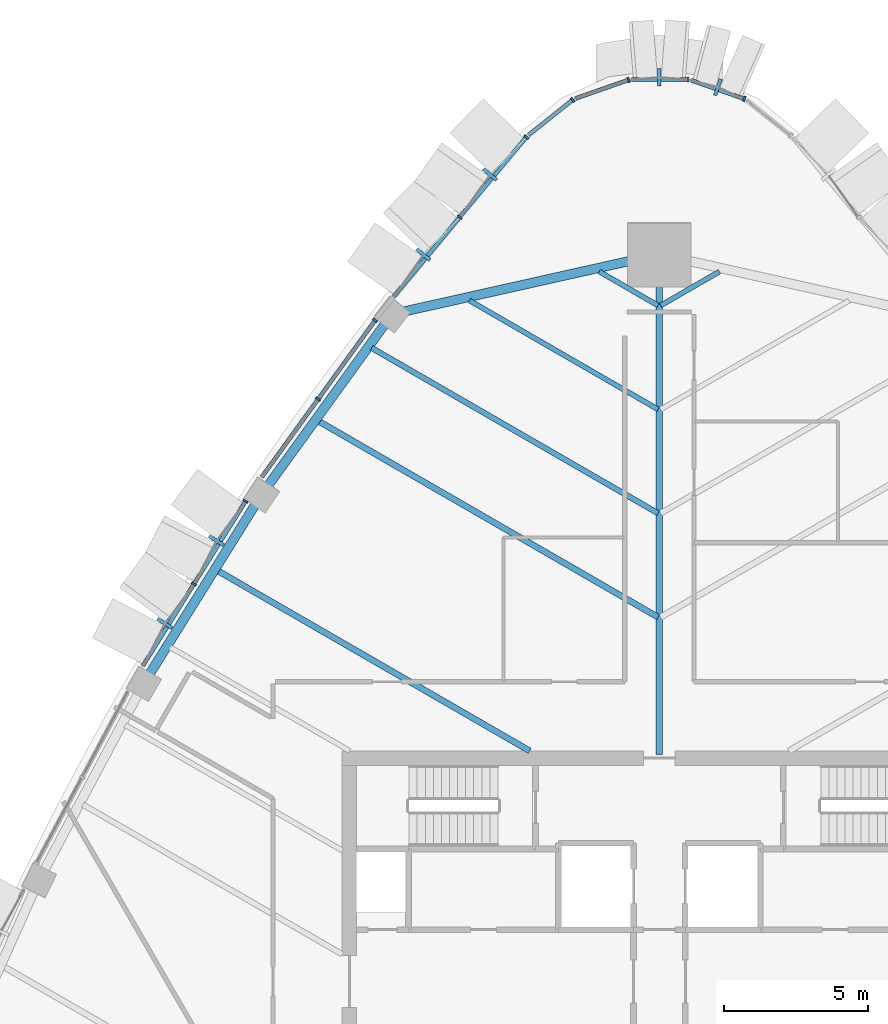
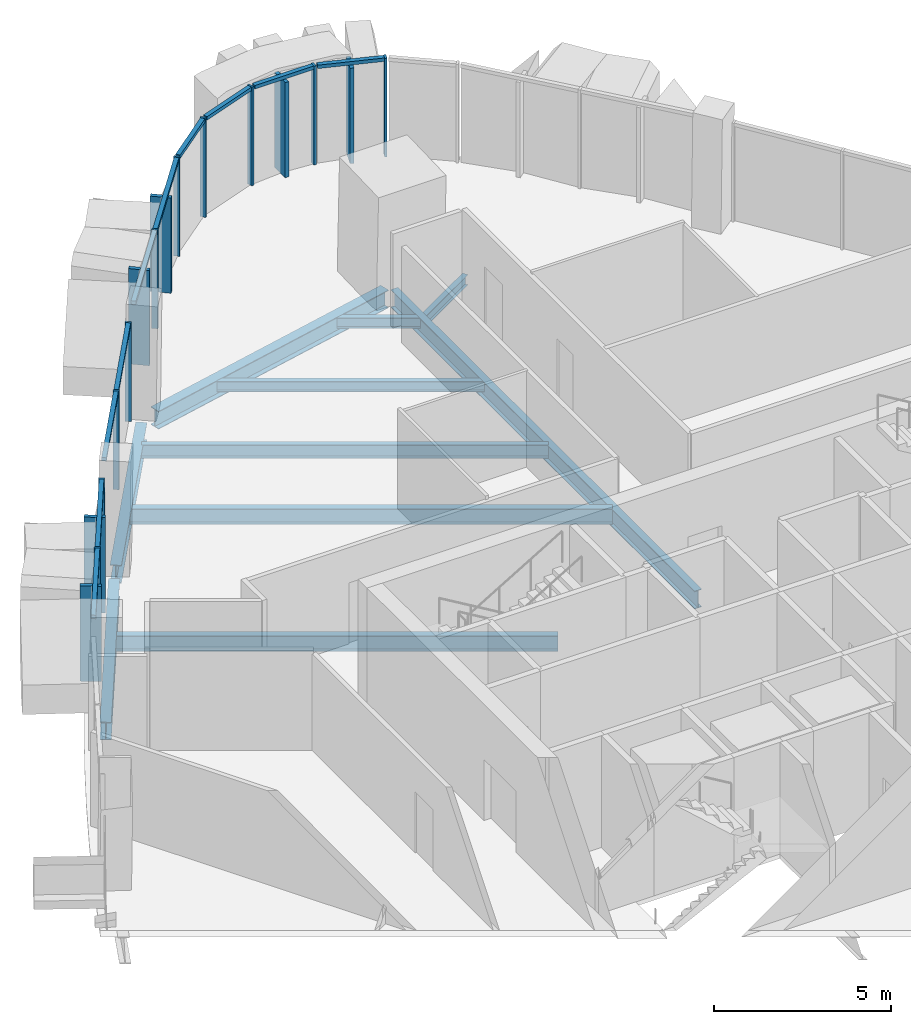
# One storey, part 6 of 18: 26 members, 10 beams, 7 elements without a shape of their own.
"""IFC4 building model written with IfcOpenShell, lengths in metres."""

from ifc_helpers import new_model, si_unit, direction, frame, origin, origin_2d, place, context, subcontext, project, spatial, rectangle, i_section, extrude, material, layer, layer_set, material_profile, profile_set, type_object, element, aggregate, save


model = new_model("IFC4")

# Units and contexts
model_context = context("Model", 3, precision=1e-05, world=origin(), true_north=direction((0.0, 1.0)))
body_context = subcontext(model_context, "Body", "Model", "MODEL_VIEW")
ifc_project = project(units=[si_unit("LENGTHUNIT", "METRE"), si_unit("AREAUNIT", "SQUARE_METRE"), si_unit("VOLUMEUNIT", "CUBIC_METRE"), si_unit("PLANEANGLEUNIT", "RADIAN"), si_unit("MASSUNIT", "GRAM", prefix="KILO")], contexts=[model_context])

# Site, building, storey
site_placement = place(None, origin())
site = spatial("IfcSite", under=ifc_project, at=site_placement, CompositionType="ELEMENT")
building_placement = place(site_placement, origin())
building = spatial("IfcBuilding", under=site, at=building_placement, Name="Sierra Prisma Convention Tower", CompositionType="ELEMENT")
storey_placement = place(building_placement, frame((0.0, 0.0, 247.0)))
storey = spatial("IfcBuildingStorey", under=building, at=storey_placement, Name="L55", CompositionType="ELEMENT", Elevation=247.0)

# Curtain wall, member
ifc_material_1 = material(Name="Aluminium and glass curtain wall", Category="aluminium")
ifc_layer_1 = layer(ifc_material_1, 0.179931640625)
ifc_layer_set_1 = layer_set([ifc_layer_1], Name="CW-2 Faceted crystal curtain wall")
curtain_wall_type_1 = type_object("IfcCurtainWallType", Name="CW-2 Faceted crystal curtain wall", PredefinedType="NOTDEFINED", material=ifc_layer_set_1)
curtain_wall_1_placement = place(storey_placement, origin())
curtain_wall_1 = element("IfcCurtainWall", 1, at=curtain_wall_1_placement, inside=storey, type_object=curtain_wall_type_1, Name="CW-2 N2 L55", PredefinedType="NOTDEFINED")
ifc_material_2 = material(Name="Aluminium 6063-T6 bronze anodised", Category="aluminium")
ifc_material_profile_1 = material_profile(ifc_material_2, rectangle(XDim=0.1201171875, YDim=0.60009765625, at=origin_2d()), Name="ALU RIDGE BLADE 120x600")
ifc_profile_set_1 = profile_set([ifc_material_profile_1], Name="Aluminium 6063-T6 bronze anodised")
member_type_1 = type_object("IfcMemberType", Name="CW hip bronze", PredefinedType="MULLION", material=ifc_profile_set_1)
member_1_placement = place(storey_placement, frame((2.029052734375, 31.019287109375, 0.0), z_axis=(0.0, 0.0, 1.0), x_axis=(-0.943791194366, 0.330542253632, 0.0)))
member_1 = element("IfcMember", 2, at=member_1_placement, type_object=member_type_1, Name="CW-2 ridge N2.1", PredefinedType="MULLION", context=body_context, shape_type="SweptSolid", body=[
    extrude(rectangle(XDim=0.1201171875, YDim=0.60009765625, at=origin_2d()), origin(), (0.0, 0.0, 1.0), 3.280029296875),
])

curtain_wall_2_placement = place(storey_placement, origin())
curtain_wall_2 = element("IfcCurtainWall", 3, at=curtain_wall_2_placement, inside=storey, type_object=curtain_wall_type_1, Name="CW-2 N3 L55", PredefinedType="NOTDEFINED")
member_2_placement = place(storey_placement, frame((0.0, 31.3642578125, 0.0), z_axis=(0.0, 0.0, 1.0), x_axis=(-1.0, 0.0, 0.0)))
member_2 = element("IfcMember", 4, at=member_2_placement, type_object=member_type_1, Name="CW-2 ridge N3.1", PredefinedType="MULLION", context=body_context, shape_type="SweptSolid", body=[
    extrude(rectangle(XDim=0.1201171875, YDim=0.60009765625, at=origin_2d()), origin(), (0.0, 0.0, 1.0), 3.280029296875),
])

# Curtain wall, members
curtain_wall_3_placement = place(storey_placement, origin())
curtain_wall_3 = element("IfcCurtainWall", 5, at=curtain_wall_3_placement, inside=storey, type_object=curtain_wall_type_1, Name="CW-2 NW1 L55", PredefinedType="NOTDEFINED")
member_3_placement = place(storey_placement, frame((-5.875244140625, 27.99365234375, 0.0), z_axis=(0.0, 0.0, 1.0), x_axis=(-0.639950693937, -0.768415974151, 0.0)))
member_3 = element("IfcMember", 6, at=member_3_placement, type_object=member_type_1, Name="CW-2 ridge NW1.1", PredefinedType="MULLION", context=body_context, shape_type="SweptSolid", body=[
    extrude(rectangle(XDim=0.1201171875, YDim=0.60009765625, at=origin_2d()), origin(), (0.0, 0.0, 1.0), 3.280029296875),
])
member_4_placement = place(storey_placement, frame((-8.189208984375, 25.215087890625, 0.0), z_axis=(0.0, 0.0, 1.0), x_axis=(-0.639950693937, -0.768415974151, 0.0)))
member_4 = element("IfcMember", 7, at=member_4_placement, type_object=member_type_1, Name="CW-2 ridge NW1.2", PredefinedType="MULLION", context=body_context, shape_type="SweptSolid", body=[
    extrude(rectangle(XDim=0.1201171875, YDim=0.60009765625, at=origin_2d()), origin(), (0.0, 0.0, 1.0), 3.280029296875),
])

curtain_wall_4_placement = place(storey_placement, origin())
curtain_wall_4 = element("IfcCurtainWall", 8, at=curtain_wall_4_placement, inside=storey, type_object=curtain_wall_type_1, Name="CW-2 NW3 L55", PredefinedType="NOTDEFINED")
member_5_placement = place(storey_placement, frame((-15.36181640625, 15.29345703125, 0.0), z_axis=(0.0, 0.0, 1.0), x_axis=(-0.529291970398, -0.848439750408, 0.0)))
member_5 = element("IfcMember", 9, at=member_5_placement, type_object=member_type_1, Name="CW-2 ridge NW3.1", PredefinedType="MULLION", context=body_context, shape_type="SweptSolid", body=[
    extrude(rectangle(XDim=0.1201171875, YDim=0.60009765625, at=origin_2d()), origin(), (0.0, 0.0, 1.0), 3.280029296875),
])
member_6_placement = place(storey_placement, frame((-17.1533203125, 12.42138671875, 0.0), z_axis=(0.0, 0.0, 1.0), x_axis=(-0.529291970398, -0.848439750408, 0.0)))
member_6 = element("IfcMember", 10, at=member_6_placement, type_object=member_type_1, Name="CW-2 ridge NW3.2", PredefinedType="MULLION", context=body_context, shape_type="SweptSolid", body=[
    extrude(rectangle(XDim=0.1201171875, YDim=0.60009765625, at=origin_2d()), origin(), (0.0, 0.0, 1.0), 3.280029296875),
])

# Member
ifc_material_3 = material(Name="Aluminium 6063-T6 bronze anodised", Category="aluminium")
ifc_material_profile_2 = material_profile(ifc_material_3, rectangle(XDim=0.179931640625, YDim=0.070068359375, at=origin_2d()), Name="ALU MULLION 70x180")
ifc_profile_set_2 = profile_set([ifc_material_profile_2], Name="Aluminium 6063-T6 bronze anodised")
member_type_2 = type_object("IfcMemberType", Name="CW mullion bronze", PredefinedType="MULLION", material=ifc_profile_set_2)
member_7_placement = place(storey_placement, frame((2.944091796875, 30.61865234375, 0.0), z_axis=(0.0, 0.0, 1.0), x_axis=(-0.330542253632, -0.943791194366, 0.0)))
member_7 = element("IfcMember", 11, at=member_7_placement, type_object=member_type_2, Name="CW-1 mullion N2.1", PredefinedType="MULLION", context=body_context, shape_type="SweptSolid", body=[
    extrude(rectangle(XDim=0.179931640625, YDim=0.070068359375, at=origin_2d()), origin(), (0.0, 0.0, 1.0), 3.39990234375),
])

member_8_placement = place(storey_placement, frame((0.99609375, 31.288818359375, 0.0), z_axis=(0.0, 0.0, 1.0), x_axis=(0.0, -1.0, 0.0)))
member_8 = element("IfcMember", 12, at=member_8_placement, type_object=member_type_2, Name="CW-1 mullion N3.1", PredefinedType="MULLION", context=body_context, shape_type="SweptSolid", body=[
    extrude(rectangle(XDim=0.179931640625, YDim=0.070068359375, at=origin_2d()), origin(), (0.0, 0.0, 1.0), 3.39990234375),
])

# Curtain wall, member
ifc_material_4 = material(Name="Aluminium and glass curtain wall", Category="aluminium")
ifc_layer_2 = layer(ifc_material_4, 0.179931640625)
ifc_layer_set_2 = layer_set([ifc_layer_2], Name="CW-1 Plain shaft curtain wall")
curtain_wall_type_2 = type_object("IfcCurtainWallType", Name="CW-1 Plain shaft curtain wall", PredefinedType="NOTDEFINED", material=ifc_layer_set_2)
curtain_wall_5_placement = place(storey_placement, origin())
curtain_wall_5 = element("IfcCurtainWall", 13, at=curtain_wall_5_placement, inside=storey, type_object=curtain_wall_type_2, Name="CW-1 N4 L55", PredefinedType="NOTDEFINED")
member_9_placement = place(storey_placement, frame((-1.06396484375, 31.277099609375, 0.0), z_axis=(0.0, 0.0, 1.0), x_axis=(0.330542253632, -0.943791194366, 0.0)))
member_9 = element("IfcMember", 14, at=member_9_placement, type_object=member_type_2, Name="CW-1 mullion N4.1", PredefinedType="MULLION", context=body_context, shape_type="SweptSolid", body=[
    extrude(rectangle(XDim=0.179931640625, YDim=0.070068359375, at=origin_2d()), origin(), (0.0, 0.0, 1.0), 3.39990234375),
])

curtain_wall_6_placement = place(storey_placement, origin())
curtain_wall_6 = element("IfcCurtainWall", 15, at=curtain_wall_6_placement, inside=storey, type_object=curtain_wall_type_2, Name="CW-1 N5 L55", PredefinedType="NOTDEFINED")
member_10_placement = place(storey_placement, frame((-3.00439453125, 30.585205078125, 0.0), z_axis=(0.0, 0.0, 1.0), x_axis=(0.623925736689, -0.781483637127, 0.0)))
member_10 = element("IfcMember", 16, at=member_10_placement, type_object=member_type_2, Name="CW-1 mullion N5.1", PredefinedType="MULLION", context=body_context, shape_type="SweptSolid", body=[
    extrude(rectangle(XDim=0.179931640625, YDim=0.070068359375, at=origin_2d()), origin(), (0.0, 0.0, 1.0), 3.39990234375),
])

# Member
member_11_placement = place(storey_placement, frame((-4.61083984375, 29.293701171875, 0.0), z_axis=(0.0, 0.0, 1.0), x_axis=(0.768415974151, -0.639950693937, 0.0)))
member_11 = element("IfcMember", 17, at=member_11_placement, type_object=member_type_2, Name="CW-1 mullion NW1.1", PredefinedType="MULLION", context=body_context, shape_type="SweptSolid", body=[
    extrude(rectangle(XDim=0.179931640625, YDim=0.070068359375, at=origin_2d()), origin(), (0.0, 0.0, 1.0), 3.39990234375),
])

member_12_placement = place(storey_placement, frame((-6.925048828125, 26.51513671875, 0.0), z_axis=(0.0, 0.0, 1.0), x_axis=(0.768415974151, -0.639950693937, 0.0)))
member_12 = element("IfcMember", 18, at=member_12_placement, type_object=member_type_2, Name="CW-1 mullion NW1.2", PredefinedType="MULLION", context=body_context, shape_type="SweptSolid", body=[
    extrude(rectangle(XDim=0.179931640625, YDim=0.070068359375, at=origin_2d()), origin(), (0.0, 0.0, 1.0), 3.39990234375),
])

# Curtain wall, members
curtain_wall_7_placement = place(storey_placement, origin())
curtain_wall_7 = element("IfcCurtainWall", 19, at=curtain_wall_7_placement, inside=storey, type_object=curtain_wall_type_2, Name="CW-1 NW2 L55", PredefinedType="NOTDEFINED")
member_13_placement = place(storey_placement, frame((-9.859375, 22.93505859375, 0.0), z_axis=(0.0, 0.0, 1.0), x_axis=(0.810319040127, -0.585988953145, 0.0)))
member_13 = element("IfcMember", 20, at=member_13_placement, type_object=member_type_2, Name="CW-1 mullion NW2.1", PredefinedType="MULLION", context=body_context, shape_type="SweptSolid", body=[
    extrude(rectangle(XDim=0.179931640625, YDim=0.070068359375, at=origin_2d()), origin(), (0.0, 0.0, 1.0), 3.39990234375),
])
member_14_placement = place(storey_placement, frame((-11.833740234375, 20.205078125, 0.0), z_axis=(0.0, 0.0, 1.0), x_axis=(0.810319040127, -0.585988953145, 0.0)))
member_14 = element("IfcMember", 21, at=member_14_placement, type_object=member_type_2, Name="CW-1 mullion NW2.2", PredefinedType="MULLION", context=body_context, shape_type="SweptSolid", body=[
    extrude(rectangle(XDim=0.179931640625, YDim=0.070068359375, at=origin_2d()), origin(), (0.0, 0.0, 1.0), 3.39990234375),
])

# Member
member_15_placement = place(storey_placement, frame((-14.355224609375, 16.66015625, 0.0), z_axis=(0.0, 0.0, 1.0), x_axis=(0.848439750408, -0.529291970398, 0.0)))
member_15 = element("IfcMember", 22, at=member_15_placement, type_object=member_type_2, Name="CW-1 mullion NW3.1", PredefinedType="MULLION", context=body_context, shape_type="SweptSolid", body=[
    extrude(rectangle(XDim=0.179931640625, YDim=0.070068359375, at=origin_2d()), origin(), (0.0, 0.0, 1.0), 3.39990234375),
])

member_16_placement = place(storey_placement, frame((-16.14697265625, 13.788330078125, 0.0), z_axis=(0.0, 0.0, 1.0), x_axis=(0.848439750408, -0.529291970398, 0.0)))
member_16 = element("IfcMember", 23, at=member_16_placement, type_object=member_type_2, Name="CW-1 mullion NW3.2", PredefinedType="MULLION", context=body_context, shape_type="SweptSolid", body=[
    extrude(rectangle(XDim=0.179931640625, YDim=0.070068359375, at=origin_2d()), origin(), (0.0, 0.0, 1.0), 3.39990234375),
])

ifc_material_5 = material(Name="Aluminium 6063-T6 bronze anodised", Category="aluminium")
ifc_material_profile_3 = material_profile(ifc_material_5, rectangle(XDim=0.139892578125, YDim=0.1201171875, at=origin_2d()), Name="ALU TRANSOM 120x140")
ifc_profile_set_3 = profile_set([ifc_material_profile_3], Name="Aluminium 6063-T6 bronze anodised")
member_type_3 = type_object("IfcMemberType", Name="CW transom bronze", PredefinedType="USERDEFINED", material=ifc_profile_set_3)
member_17_placement = place(storey_placement, frame((2.9111328125, 30.63037109375, 3.340087890625), z_axis=(-0.943798930546, 0.330520163833, 0.0), x_axis=(-0.330520163833, -0.943798930546, 0.0)))
member_17 = element("IfcMember", 24, at=member_17_placement, type_object=member_type_3, Name="CW-1 transom N2.1", ObjectType="TRANSOM", PredefinedType="USERDEFINED", context=body_context, shape_type="SweptSolid", body=[
    extrude(rectangle(XDim=0.139892578125, YDim=0.1201171875, at=origin_2d()), origin(), (0.0, 0.0, 1.0), 1.921875),
])

aggregate(curtain_wall_1, [member_7, member_17, member_1])

member_18_placement = place(storey_placement, frame((0.9609375, 31.288818359375, 3.340087890625), z_axis=(-1.0, 0.0, 0.0), x_axis=(0.0, -1.0, 0.0)))
member_18 = element("IfcMember", 25, at=member_18_placement, type_object=member_type_3, Name="CW-1 transom N3.1", ObjectType="TRANSOM", PredefinedType="USERDEFINED", context=body_context, shape_type="SweptSolid", body=[
    extrude(rectangle(XDim=0.139892578125, YDim=0.1201171875, at=origin_2d()), origin(), (0.0, 0.0, 1.0), 1.921875),
])

aggregate(curtain_wall_2, [member_8, member_18, member_2])

member_19_placement = place(storey_placement, frame((-1.09716796875, 31.265625, 3.340087890625), z_axis=(-0.943798930546, -0.330520163833, 0.0), x_axis=(0.330520163833, -0.943798930546, 0.0)))
member_19 = element("IfcMember", 26, at=member_19_placement, type_object=member_type_3, Name="CW-1 transom N4.1", ObjectType="TRANSOM", PredefinedType="USERDEFINED", context=body_context, shape_type="SweptSolid", body=[
    extrude(rectangle(XDim=0.139892578125, YDim=0.1201171875, at=origin_2d()), origin(), (0.0, 0.0, 1.0), 1.921875),
])

aggregate(curtain_wall_5, [member_9, member_19])

member_20_placement = place(storey_placement, frame((-3.03173828125, 30.5634765625, 3.340087890625), z_axis=(-0.78151275413, -0.62388926512, 0.0), x_axis=(0.62388926512, -0.78151275413, 0.0)))
member_20 = element("IfcMember", 27, at=member_20_placement, type_object=member_type_3, Name="CW-1 transom N5.1", ObjectType="TRANSOM", PredefinedType="USERDEFINED", context=body_context, shape_type="SweptSolid", body=[
    extrude(rectangle(XDim=0.139892578125, YDim=0.1201171875, at=origin_2d()), origin(), (0.0, 0.0, 1.0), 1.922119140625),
])

aggregate(curtain_wall_6, [member_10, member_20])

member_21_placement = place(storey_placement, frame((-4.63330078125, 29.266845703125, 3.340087890625), z_axis=(-0.639947349568, -0.768418759389, 0.0), x_axis=(0.768418759389, -0.639947349568, 0.0)))
member_21 = element("IfcMember", 28, at=member_21_placement, type_object=member_type_3, Name="CW-1 transom NW1.1", ObjectType="TRANSOM", PredefinedType="USERDEFINED", context=body_context, shape_type="SweptSolid", body=[
    extrude(rectangle(XDim=0.139892578125, YDim=0.1201171875, at=origin_2d()), origin(), (0.0, 0.0, 1.0), 3.546142578125),
])

member_22_placement = place(storey_placement, frame((-6.947509765625, 26.48828125, 3.340087890625), z_axis=(-0.639947349568, -0.768418759389, 0.0), x_axis=(0.768418759389, -0.639947349568, 0.0)))
member_22 = element("IfcMember", 29, at=member_22_placement, type_object=member_type_3, Name="CW-1 transom NW1.2", ObjectType="TRANSOM", PredefinedType="USERDEFINED", context=body_context, shape_type="SweptSolid", body=[
    extrude(rectangle(XDim=0.139892578125, YDim=0.1201171875, at=origin_2d()), origin(), (0.0, 0.0, 1.0), 3.546142578125),
])

aggregate(curtain_wall_3, [member_11, member_12, member_21, member_3, member_22, member_4])

member_23_placement = place(storey_placement, frame((-9.8798828125, 22.90673828125, 3.340087890625), z_axis=(-0.586009187302, -0.810304407243, 0.0), x_axis=(0.810304407243, -0.586009187302, 0.0)))
member_23 = element("IfcMember", 30, at=member_23_placement, type_object=member_type_3, Name="CW-1 transom NW2.1", ObjectType="TRANSOM", PredefinedType="USERDEFINED", context=body_context, shape_type="SweptSolid", body=[
    extrude(rectangle(XDim=0.139892578125, YDim=0.1201171875, at=origin_2d()), origin(), (0.0, 0.0, 1.0), 3.299072265625),
])

member_24_placement = place(storey_placement, frame((-11.854248046875, 20.1767578125, 3.340087890625), z_axis=(-0.585960595978, -0.810339546092, 0.0), x_axis=(0.810339546092, -0.585960595978, 0.0)))
member_24 = element("IfcMember", 31, at=member_24_placement, type_object=member_type_3, Name="CW-1 transom NW2.2", ObjectType="TRANSOM", PredefinedType="USERDEFINED", context=body_context, shape_type="SweptSolid", body=[
    extrude(rectangle(XDim=0.139892578125, YDim=0.1201171875, at=origin_2d()), origin(), (0.0, 0.0, 1.0), 3.299072265625),
])

aggregate(curtain_wall_7, [member_13, member_14, member_23, member_24])

member_25_placement = place(storey_placement, frame((-14.373779296875, 16.630615234375, 3.340087890625), z_axis=(-0.529310277913, -0.848428329145, 0.0), x_axis=(0.848428329145, -0.529310277913, 0.0)))
member_25 = element("IfcMember", 32, at=member_25_placement, type_object=member_type_3, Name="CW-1 transom NW3.1", ObjectType="TRANSOM", PredefinedType="USERDEFINED", context=body_context, shape_type="SweptSolid", body=[
    extrude(rectangle(XDim=0.139892578125, YDim=0.1201171875, at=origin_2d()), origin(), (0.0, 0.0, 1.0), 3.31494140625),
])

member_26_placement = place(storey_placement, frame((-16.16552734375, 13.7587890625, 3.340087890625), z_axis=(-0.529257260517, -0.848461402888, 0.0), x_axis=(0.848461402888, -0.529257260517, 0.0)))
member_26 = element("IfcMember", 33, at=member_26_placement, type_object=member_type_3, Name="CW-1 transom NW3.2", ObjectType="TRANSOM", PredefinedType="USERDEFINED", context=body_context, shape_type="SweptSolid", body=[
    extrude(rectangle(XDim=0.139892578125, YDim=0.1201171875, at=origin_2d()), origin(), (0.0, 0.0, 1.0), 3.31494140625),
])

aggregate(curtain_wall_4, [member_15, member_16, member_25, member_5, member_26, member_6])

# Beams
ifc_material_6 = material(Name="Steel ASTM A992 Gr 50", Category="steel")
ifc_material_profile_4 = material_profile(ifc_material_6, i_section(OverallWidth=0.172119140625, OverallDepth=0.35791015625, WebThickness=0.0078125, FlangeThickness=0.01318359375, at=origin_2d()), Name="W360x57")
ifc_profile_set_4 = profile_set([ifc_material_profile_4], Name="Steel ASTM A992 Gr 50")
beam_type_1 = type_object("IfcBeamType", Name="Floor joist W360x57", PredefinedType="JOIST", material=ifc_profile_set_4)
for number, where, z_axis, x_axis, name in (
    (34, (2.084228515625, 24.627197265625, -0.3291015625), (-0.866038761455, -0.499976863123, 0.0), (0.499976863123, -0.866038761455, 0.0), "Floor joist L55 NE14"),
    (35, (-2.084228515625, 24.627197265625, -0.3291015625), (0.866038761455, -0.499976863123, 0.0), (0.499976863123, 0.866038761455, 0.0), "Floor joist L55 NW01"),
):
    element("IfcBeam", number, at=place(storey_placement, frame(where, z_axis=z_axis, x_axis=x_axis)), inside=storey, type_object=beam_type_1, Name=name, PredefinedType="JOIST", context=body_context, shape_type="SweptSolid", body=[
        extrude(i_section(OverallWidth=0.172119140625, OverallDepth=0.35791015625, WebThickness=0.0078125, FlangeThickness=0.01318359375, at=origin_2d()), origin(), (0.0, 0.0, 1.0), 2.353515625),
    ])
beam_1_placement = place(storey_placement, frame((-6.58154296875, 23.6201171875, -0.3291015625), z_axis=(0.86602073492, -0.500008086624, 0.0), x_axis=(0.500008086624, 0.86602073492, 0.0)))
element("IfcBeam", 36, at=beam_1_placement, inside=storey, type_object=beam_type_1, Name="Floor joist L55 NW02", PredefinedType="JOIST", context=body_context, shape_type="SweptSolid", body=[
    extrude(i_section(OverallWidth=0.172119140625, OverallDepth=0.35791015625, WebThickness=0.0078125, FlangeThickness=0.01318359375, at=origin_2d()), origin(), (0.0, 0.0, 1.0), 7.546875),
])
ifc_material_7 = material(Name="Steel ASTM A992 Gr 50", Category="steel")
ifc_material_profile_5 = material_profile(ifc_material_7, i_section(OverallWidth=0.18994140625, OverallDepth=0.45703125, WebThickness=0.009033203125, FlangeThickness=0.014404296875, at=origin_2d()), Name="W460x74")
ifc_profile_set_5 = profile_set([ifc_material_profile_5], Name="Steel ASTM A992 Gr 50")
beam_type_2 = type_object("IfcBeamType", Name="Floor joist W460x74", PredefinedType="JOIST", material=ifc_profile_set_5)
beam_2_placement = place(storey_placement, frame((-9.980224609375, 21.978759765625, -0.37841796875), z_axis=(0.866025033342, -0.500000641624, 0.0), x_axis=(0.500000641624, 0.866025033342, 0.0)))
element("IfcBeam", 37, at=beam_2_placement, inside=storey, type_object=beam_type_2, Name="Floor joist L55 NW03", PredefinedType="JOIST", context=body_context, shape_type="SweptSolid", body=[
    extrude(i_section(OverallWidth=0.18994140625, OverallDepth=0.45703125, WebThickness=0.009033203125, FlangeThickness=0.014404296875, at=origin_2d()), origin(), (0.0, 0.0, 1.0), 11.47119140625),
])
ifc_material_8 = material(Name="Steel ASTM A992 Gr 50", Category="steel")
ifc_material_profile_6 = material_profile(ifc_material_8, i_section(OverallWidth=0.208984375, OverallDepth=0.532958984375, WebThickness=0.01025390625, FlangeThickness=0.015625, at=origin_2d()), Name="W530x92")
ifc_profile_set_6 = profile_set([ifc_material_profile_6], Name="Steel ASTM A992 Gr 50")
beam_type_3 = type_object("IfcBeamType", Name="Floor joist W530x92", PredefinedType="JOIST", material=ifc_profile_set_6)
beam_3_placement = place(storey_placement, frame((-11.818603515625, 19.4365234375, -0.41650390625), z_axis=(0.866020794763, -0.500007982974, 0.0), x_axis=(0.500007982974, 0.866020794763, 0.0)))
element("IfcBeam", 38, at=beam_3_placement, inside=storey, type_object=beam_type_3, Name="Floor joist L55 NW04", PredefinedType="JOIST", context=body_context, shape_type="SweptSolid", body=[
    extrude(i_section(OverallWidth=0.208984375, OverallDepth=0.532958984375, WebThickness=0.01025390625, FlangeThickness=0.015625, at=origin_2d()), origin(), (0.0, 0.0, 1.0), 13.593994140625),
])
beam_4_placement = place(storey_placement, frame((-15.3154296875, 14.247802734375, -0.41650390625), z_axis=(0.866025832565, -0.49999925733, 0.0), x_axis=(0.49999925733, 0.866025832565, 0.0)))
element("IfcBeam", 39, at=beam_4_placement, inside=storey, type_object=beam_type_3, Name="Floor joist L55 NW06", PredefinedType="JOIST", context=body_context, shape_type="SweptSolid", body=[
    extrude(i_section(OverallWidth=0.208984375, OverallDepth=0.532958984375, WebThickness=0.01025390625, FlangeThickness=0.015625, at=origin_2d()), origin(), (0.0, 0.0, 1.0), 12.49560546875),
])
ifc_material_9 = material(Name="Steel ASTM A992 Gr 50", Category="steel")
ifc_material_profile_7 = material_profile(ifc_material_9, i_section(OverallWidth=0.22998046875, OverallDepth=0.616943359375, WebThickness=0.01318359375, FlangeThickness=0.022216796875, at=origin_2d()), Name="W610x140")
ifc_profile_set_7 = profile_set([ifc_material_profile_7], Name="Steel ASTM A992 Gr 50")
beam_type_4 = type_object("IfcBeamType", Name="Radial girder W610x140", PredefinedType="BEAM", material=ifc_profile_set_7)
beam_5_placement = place(storey_placement, frame((0.0, 25.005859375, -0.45849609375), z_axis=(0.0, -1.0, 0.0), x_axis=(1.0, 0.0, 0.0)))
element("IfcBeam", 40, at=beam_5_placement, inside=storey, type_object=beam_type_4, Name="Radial girder L55 N", PredefinedType="BEAM", context=body_context, shape_type="SweptSolid", body=[
    extrude(i_section(OverallWidth=0.22998046875, OverallDepth=0.616943359375, WebThickness=0.01318359375, FlangeThickness=0.022216796875, at=origin_2d()), origin(), (0.0, 0.0, 1.0), 17.1259765625),
])
ifc_material_10 = material(Name="Steel ASTM A992 Gr 50", Category="steel")
ifc_material_profile_8 = material_profile(ifc_material_10, i_section(OverallWidth=0.324951171875, OverallDepth=0.615966796875, WebThickness=0.013916015625, FlangeThickness=0.021484375, at=origin_2d()), Name="W610x174")
ifc_profile_set_8 = profile_set([ifc_material_profile_8], Name="Steel ASTM A992 Gr 50")
beam_type_5 = type_object("IfcBeamType", Name="Spandrel beam W610x174", PredefinedType="BEAM", material=ifc_profile_set_8)
beam_6_placement = place(storey_placement, frame((-0.219970703125, 25.176513671875, -0.4580078125), z_axis=(-0.975830534252, -0.218528644394, 0.0), x_axis=(0.218528644394, -0.975830534252, 0.0)))
element("IfcBeam", 41, at=beam_6_placement, inside=storey, type_object=beam_type_5, Name="Spandrel L55-13", PredefinedType="BEAM", context=body_context, shape_type="SweptSolid", body=[
    extrude(i_section(OverallWidth=0.324951171875, OverallDepth=0.615966796875, WebThickness=0.013916015625, FlangeThickness=0.021484375, at=origin_2d()), origin(), (0.0, 0.0, 1.0), 8.813720703125),
])
beam_7_placement = place(storey_placement, frame((-9.466552734375, 22.881591796875, -0.4580078125), z_axis=(-0.585992405388, -0.810316543597, 0.0), x_axis=(0.810316543597, -0.585992405388, 0.0)))
element("IfcBeam", 42, at=beam_7_placement, inside=storey, type_object=beam_type_5, Name="Spandrel L55-14", PredefinedType="BEAM", context=body_context, shape_type="SweptSolid", body=[
    extrude(i_section(OverallWidth=0.324951171875, OverallDepth=0.615966796875, WebThickness=0.013916015625, FlangeThickness=0.021484375, at=origin_2d()), origin(), (0.0, 0.0, 1.0), 7.067626953125),
])
beam_8_placement = place(storey_placement, frame((-13.976318359375, 16.606689453125, -0.4580078125), z_axis=(-0.529297038175, -0.848436588897, 0.0), x_axis=(0.848436588897, -0.529297038175, 0.0)))
element("IfcBeam", 43, at=beam_8_placement, inside=storey, type_object=beam_type_5, Name="Spandrel L55-15", PredefinedType="BEAM", context=body_context, shape_type="SweptSolid", body=[
    extrude(i_section(OverallWidth=0.324951171875, OverallDepth=0.615966796875, WebThickness=0.013916015625, FlangeThickness=0.021484375, at=origin_2d()), origin(), (0.0, 0.0, 1.0), 7.06787109375),
])

save(model, "model.ifc")
